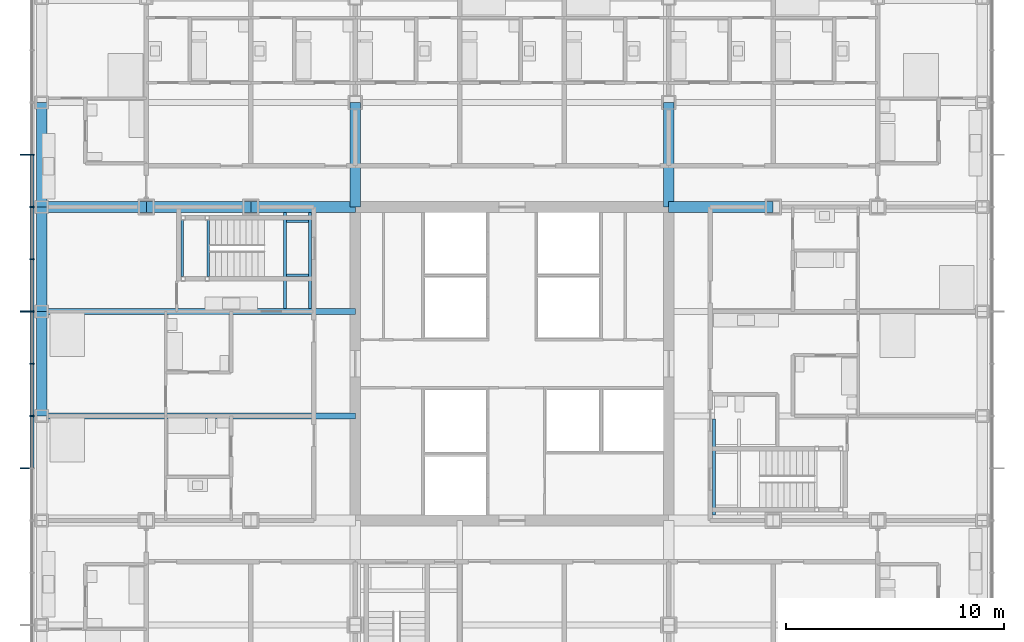
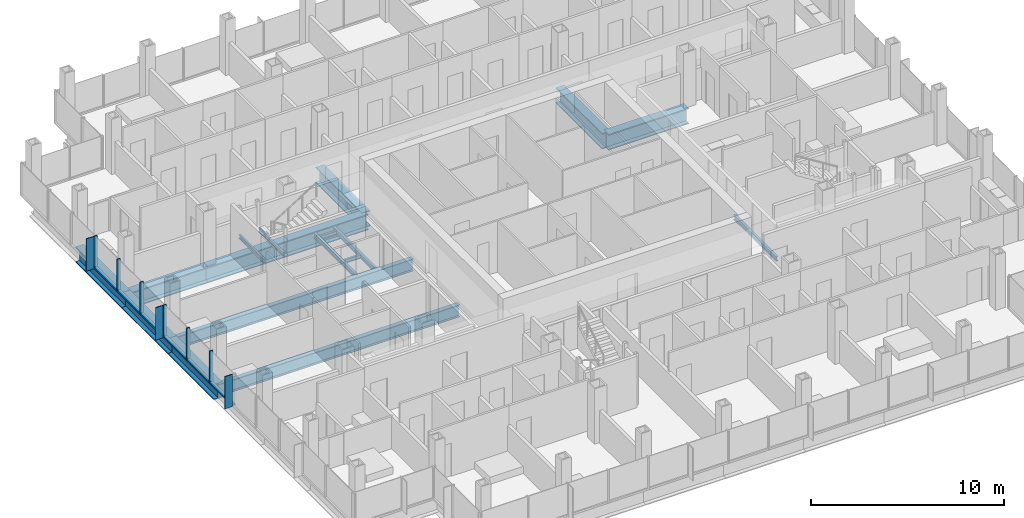
# One storey, part 8 of 22: 18 beams, 15 members, 1 element without a shape of its own.
"""IFC4 building model written with IfcOpenShell, lengths in metres."""

from ifc_helpers import new_model, si_unit, direction, frame, origin, origin_2d, place, context, subcontext, project, spatial, rectangle, i_section, extrude, material, material_profile, profile_set, type_object, element, aggregate, save


model = new_model("IFC4")

# Units and contexts
model_context = context("Model", 3, precision=1e-05, world=origin(), true_north=direction((0.0, 1.0)))
body_context = subcontext(model_context, "Body", "Model", "MODEL_VIEW")
ifc_project = project(units=[si_unit("LENGTHUNIT", "METRE"), si_unit("AREAUNIT", "SQUARE_METRE"), si_unit("VOLUMEUNIT", "CUBIC_METRE"), si_unit("PLANEANGLEUNIT", "RADIAN"), si_unit("MASSUNIT", "GRAM", prefix="KILO")], contexts=[model_context])

# Site, building, storey
site_placement = place(None, origin())
site = spatial("IfcSite", under=ifc_project, at=site_placement, CompositionType="ELEMENT")
building_placement = place(site_placement, origin())
building = spatial("IfcBuilding", under=site, at=building_placement, Name="Kvirike Care Tower", CompositionType="ELEMENT")
storey_placement = place(building_placement, frame((0.0, 0.0, 76.0)))
storey = spatial("IfcBuildingStorey", under=building, at=storey_placement, Name="L20", CompositionType="ELEMENT", Elevation=76.0)

# Curtain wall, members
ifc_material_1 = material(Name="Anodised aluminium stick system", Category="aluminium")
curtain_wall_type = type_object("IfcCurtainWallType", Name="CW-A STICK CURTAIN WALL", PredefinedType="NOTDEFINED", material=ifc_material_1)
curtain_wall_placement = place(storey_placement, origin())
curtain_wall = element("IfcCurtainWall", 1, at=curtain_wall_placement, inside=storey, type_object=curtain_wall_type, Name="Curtain wall L20 face 1", PredefinedType="NOTDEFINED")
ifc_material_2 = material(Name="Bronze anodised aluminium fin", Category="aluminium")
ifc_material_profile_1 = material_profile(ifc_material_2, rectangle(XDim=0.050048828125, YDim=0.449951171875, at=origin_2d()), Name="BRONZE FIN 450")
ifc_profile_set_1 = profile_set([ifc_material_profile_1], Name="Bronze anodised aluminium fin")
member_type_1 = type_object("IfcMemberType", Name="BRONZE FIN 450", PredefinedType="USERDEFINED", material=ifc_profile_set_1)
member_1_placement = place(storey_placement, frame((-0.77490234375, 45.60009765625, 0.0), z_axis=(0.0, 0.0, 1.0), x_axis=(0.0, -1.0, 0.0)))
member_1 = element("IfcMember", 2, at=member_1_placement, type_object=member_type_1, Name="Bronze fin L20 face 1.4", ObjectType="FIN", PredefinedType="USERDEFINED", context=body_context, shape_type="SweptSolid", body=[
    extrude(rectangle(XDim=0.050048828125, YDim=0.449951171875, at=origin_2d()), origin(), (0.0, 0.0, 1.0), 2.050048828125),
])
member_2_placement = place(storey_placement, frame((-0.77490234375, 38.39990234375, 0.0), z_axis=(0.0, 0.0, 1.0), x_axis=(0.0, -1.0, 0.0)))
member_2 = element("IfcMember", 3, at=member_2_placement, type_object=member_type_1, Name="Bronze fin L20 face 1.7", ObjectType="FIN", PredefinedType="USERDEFINED", context=body_context, shape_type="SweptSolid", body=[
    extrude(rectangle(XDim=0.050048828125, YDim=0.449951171875, at=origin_2d()), origin(), (0.0, 0.0, 1.0), 2.050048828125),
])
member_3_placement = place(storey_placement, frame((-0.77490234375, 31.199951171875, 0.0), z_axis=(0.0, 0.0, 1.0), x_axis=(0.0, -1.0, 0.0)))
member_3 = element("IfcMember", 4, at=member_3_placement, type_object=member_type_1, Name="Bronze fin L20 face 1.10", ObjectType="FIN", PredefinedType="USERDEFINED", context=body_context, shape_type="SweptSolid", body=[
    extrude(rectangle(XDim=0.050048828125, YDim=0.449951171875, at=origin_2d()), origin(), (0.0, 0.0, 1.0), 2.050048828125),
])
ifc_material_3 = material(Name="Bronze anodised aluminium mullion", Category="aluminium")
ifc_material_profile_2 = material_profile(ifc_material_3, rectangle(XDim=0.06494140625, YDim=0.199951171875, at=origin_2d()), Name="CW-A MULLION 65x200")
ifc_profile_set_2 = profile_set([ifc_material_profile_2], Name="Bronze anodised aluminium mullion")
member_type_2 = type_object("IfcMemberType", Name="CW-A MULLION 65x200", PredefinedType="MULLION", material=ifc_profile_set_2)
member_4_placement = place(storey_placement, frame((-0.449951171875, 45.60009765625, 0.0), z_axis=(0.0, 0.0, 1.0), x_axis=(0.0, -1.0, 0.0)))
member_4 = element("IfcMember", 5, at=member_4_placement, type_object=member_type_2, Name="CW-A mullion L20 face 1.4", PredefinedType="MULLION", context=body_context, shape_type="SweptSolid", body=[
    extrude(rectangle(XDim=0.06494140625, YDim=0.199951171875, at=origin_2d()), origin(), (0.0, 0.0, 1.0), 2.050048828125),
])
member_5_placement = place(storey_placement, frame((-0.449951171875, 43.199951171875, 0.0), z_axis=(0.0, 0.0, 1.0), x_axis=(0.0, -1.0, 0.0)))
member_5 = element("IfcMember", 6, at=member_5_placement, type_object=member_type_2, Name="CW-A mullion L20 face 1.5", PredefinedType="MULLION", context=body_context, shape_type="SweptSolid", body=[
    extrude(rectangle(XDim=0.06494140625, YDim=0.199951171875, at=origin_2d()), origin(), (0.0, 0.0, 1.0), 2.050048828125),
])
member_6_placement = place(storey_placement, frame((-0.449951171875, 40.800048828125, 0.0), z_axis=(0.0, 0.0, 1.0), x_axis=(0.0, -1.0, 0.0)))
member_6 = element("IfcMember", 7, at=member_6_placement, type_object=member_type_2, Name="CW-A mullion L20 face 1.6", PredefinedType="MULLION", context=body_context, shape_type="SweptSolid", body=[
    extrude(rectangle(XDim=0.06494140625, YDim=0.199951171875, at=origin_2d()), origin(), (0.0, 0.0, 1.0), 2.050048828125),
])
member_7_placement = place(storey_placement, frame((-0.449951171875, 38.39990234375, 0.0), z_axis=(0.0, 0.0, 1.0), x_axis=(0.0, -1.0, 0.0)))
member_7 = element("IfcMember", 8, at=member_7_placement, type_object=member_type_2, Name="CW-A mullion L20 face 1.7", PredefinedType="MULLION", context=body_context, shape_type="SweptSolid", body=[
    extrude(rectangle(XDim=0.06494140625, YDim=0.199951171875, at=origin_2d()), origin(), (0.0, 0.0, 1.0), 2.050048828125),
])
member_8_placement = place(storey_placement, frame((-0.449951171875, 36.0, 0.0), z_axis=(0.0, 0.0, 1.0), x_axis=(0.0, -1.0, 0.0)))
member_8 = element("IfcMember", 9, at=member_8_placement, type_object=member_type_2, Name="CW-A mullion L20 face 1.8", PredefinedType="MULLION", context=body_context, shape_type="SweptSolid", body=[
    extrude(rectangle(XDim=0.06494140625, YDim=0.199951171875, at=origin_2d()), origin(), (0.0, 0.0, 1.0), 2.050048828125),
])
member_9_placement = place(storey_placement, frame((-0.449951171875, 33.60009765625, 0.0), z_axis=(0.0, 0.0, 1.0), x_axis=(0.0, -1.0, 0.0)))
member_9 = element("IfcMember", 10, at=member_9_placement, type_object=member_type_2, Name="CW-A mullion L20 face 1.9", PredefinedType="MULLION", context=body_context, shape_type="SweptSolid", body=[
    extrude(rectangle(XDim=0.06494140625, YDim=0.199951171875, at=origin_2d()), origin(), (0.0, 0.0, 1.0), 2.050048828125),
])
ifc_material_4 = material(Name="Bronze anodised aluminium transom", Category="aluminium")
ifc_material_profile_3 = material_profile(ifc_material_4, rectangle(XDim=0.199951171875, YDim=0.10009765625, at=origin_2d()), Name="CW-A TRANSOM 200x100")
ifc_profile_set_3 = profile_set([ifc_material_profile_3], Name="Bronze anodised aluminium transom")
member_type_3 = type_object("IfcMemberType", Name="CW-A TRANSOM 200x100", PredefinedType="USERDEFINED", material=ifc_profile_set_3)
member_10_placement = place(storey_placement, frame((-0.449951171875, 45.5673828125, 0.050048828125), z_axis=(0.0, -1.0, 0.0), x_axis=(1.0, 0.0, 0.0)))
member_10 = element("IfcMember", 11, at=member_10_placement, type_object=member_type_3, Name="CW-A sill transom L20 face 1.4", ObjectType="TRANSOM", PredefinedType="USERDEFINED", context=body_context, shape_type="SweptSolid", body=[
    extrude(rectangle(XDim=0.199951171875, YDim=0.10009765625, at=origin_2d()), origin(), (0.0, 0.0, 1.0), 2.3349609375),
])
member_11_placement = place(storey_placement, frame((-0.449951171875, 43.16748046875, 0.050048828125), z_axis=(0.0, -1.0, 0.0), x_axis=(1.0, 0.0, 0.0)))
member_11 = element("IfcMember", 12, at=member_11_placement, type_object=member_type_3, Name="CW-A sill transom L20 face 1.5", ObjectType="TRANSOM", PredefinedType="USERDEFINED", context=body_context, shape_type="SweptSolid", body=[
    extrude(rectangle(XDim=0.199951171875, YDim=0.10009765625, at=origin_2d()), origin(), (0.0, 0.0, 1.0), 2.3349609375),
])
member_12_placement = place(storey_placement, frame((-0.449951171875, 40.767578125, 0.050048828125), z_axis=(0.0, -1.0, 0.0), x_axis=(1.0, 0.0, 0.0)))
member_12 = element("IfcMember", 13, at=member_12_placement, type_object=member_type_3, Name="CW-A sill transom L20 face 1.6", ObjectType="TRANSOM", PredefinedType="USERDEFINED", context=body_context, shape_type="SweptSolid", body=[
    extrude(rectangle(XDim=0.199951171875, YDim=0.10009765625, at=origin_2d()), origin(), (0.0, 0.0, 1.0), 2.3349609375),
])
member_13_placement = place(storey_placement, frame((-0.449951171875, 38.367431640625, 0.050048828125), z_axis=(0.0, -1.0, 0.0), x_axis=(1.0, 0.0, 0.0)))
member_13 = element("IfcMember", 14, at=member_13_placement, type_object=member_type_3, Name="CW-A sill transom L20 face 1.7", ObjectType="TRANSOM", PredefinedType="USERDEFINED", context=body_context, shape_type="SweptSolid", body=[
    extrude(rectangle(XDim=0.199951171875, YDim=0.10009765625, at=origin_2d()), origin(), (0.0, 0.0, 1.0), 2.3349609375),
])
member_14_placement = place(storey_placement, frame((-0.449951171875, 35.967529296875, 0.050048828125), z_axis=(0.0, -1.0, 0.0), x_axis=(1.0, 0.0, 0.0)))
member_14 = element("IfcMember", 15, at=member_14_placement, type_object=member_type_3, Name="CW-A sill transom L20 face 1.8", ObjectType="TRANSOM", PredefinedType="USERDEFINED", context=body_context, shape_type="SweptSolid", body=[
    extrude(rectangle(XDim=0.199951171875, YDim=0.10009765625, at=origin_2d()), origin(), (0.0, 0.0, 1.0), 2.3349609375),
])
member_15_placement = place(storey_placement, frame((-0.449951171875, 33.5673828125, 0.050048828125), z_axis=(0.0, -1.0, 0.0), x_axis=(1.0, 0.0, 0.0)))
member_15 = element("IfcMember", 16, at=member_15_placement, type_object=member_type_3, Name="CW-A sill transom L20 face 1.9", ObjectType="TRANSOM", PredefinedType="USERDEFINED", context=body_context, shape_type="SweptSolid", body=[
    extrude(rectangle(XDim=0.199951171875, YDim=0.10009765625, at=origin_2d()), origin(), (0.0, 0.0, 1.0), 2.3349609375),
])
aggregate(curtain_wall, [member_4, member_1, member_5, member_6, member_7, member_2, member_8, member_9, member_3, member_10, member_11, member_12, member_13, member_14, member_15])

# Beams
ifc_material_5 = material(Name="Steel S355", Category="steel")
ifc_material_profile_4 = material_profile(ifc_material_5, i_section(OverallWidth=0.26806640625, OverallDepth=0.77001953125, WebThickness=0.015625, FlangeThickness=0.025390625, FilletRadius=0.01708984375, at=origin_2d()), Name="IPE 750x196")
ifc_profile_set_4 = profile_set([ifc_material_profile_4], Name="Steel S355")
beam_type_1 = type_object("IfcBeamType", Name="FLOOR BEAM IPE 750x196", PredefinedType="BEAM", material=ifc_profile_set_4)
for number, where, z_axis, x_axis, name in (
    (17, (0.0, 33.60009765625, -0.554931640625), (1.0, 0.0, 0.0), (0.0, 1.0, 0.0), "Floor Beam H3-H6 L20"),
    (18, (0.0, 38.39990234375, -0.554931640625), (1.0, 0.0, 0.0), (0.0, 1.0, 0.0), "Floor Beam J3-J6 L20"),
):
    element("IfcBeam", number, at=place(storey_placement, frame(where, z_axis=z_axis, x_axis=x_axis)), inside=storey, type_object=beam_type_1, Name=name, PredefinedType="BEAM", context=body_context, shape_type="SweptSolid", body=[
        extrude(i_section(OverallWidth=0.26806640625, OverallDepth=0.77001953125, WebThickness=0.015625, FlangeThickness=0.025390625, FilletRadius=0.01708984375, at=origin_2d()), origin(), (0.0, 0.0, 1.0), 14.39990234375),
    ])
ifc_material_6 = material(Name="Steel S355", Category="steel")
ifc_material_profile_5 = material_profile(ifc_material_6, i_section(OverallWidth=0.5, OverallDepth=1.0, WebThickness=0.030029296875, FlangeThickness=0.06005859375, at=origin_2d()), Name="PG 1000x500x30x60")
ifc_profile_set_5 = profile_set([ifc_material_profile_5], Name="Steel S355")
beam_type_2 = type_object("IfcBeamType", Name="FRAME BEAM PG 1000x500x30x60", PredefinedType="BEAM", material=ifc_profile_set_5)
for number, where, z_axis, x_axis, name in (
    (19, (0.0, 43.199951171875, -0.669921875), (1.0, 0.0, 0.0), (0.0, 1.0, 0.0), "Frame Beam K3-K4 L20"),
    (20, (4.800048828125, 43.199951171875, -0.669921875), (1.0, 0.0, 0.0), (0.0, 1.0, 0.0), "Frame Beam K4-K5 L20"),
):
    element("IfcBeam", number, at=place(storey_placement, frame(where, z_axis=z_axis, x_axis=x_axis)), inside=storey, type_object=beam_type_2, Name=name, PredefinedType="BEAM", context=body_context, shape_type="SweptSolid", body=[
        extrude(i_section(OverallWidth=0.5, OverallDepth=1.0, WebThickness=0.030029296875, FlangeThickness=0.06005859375, at=origin_2d()), origin(), (0.0, 0.0, 1.0), 4.800048828125),
    ])
beam_1_placement = place(storey_placement, frame((9.60009765625, 43.199951171875, -0.669921875), z_axis=(1.0, 0.0, 0.0), x_axis=(0.0, 1.0, 0.0)))
element("IfcBeam", 21, at=beam_1_placement, inside=storey, type_object=beam_type_2, Name="Frame Beam K5-K6 L20", PredefinedType="BEAM", context=body_context, shape_type="SweptSolid", body=[
    extrude(i_section(OverallWidth=0.5, OverallDepth=1.0, WebThickness=0.030029296875, FlangeThickness=0.06005859375, at=origin_2d()), origin(), (0.0, 0.0, 1.0), 4.7998046875),
])
for number, where, z_axis, x_axis, name in (
    (22, (28.800048828125, 43.199951171875, -0.669921875), (1.0, 0.0, 0.0), (0.0, 1.0, 0.0), "Frame Beam K9-K10 L20"),
    (23, (14.39990234375, 43.199951171875, -0.669921875), (0.0, 1.0, 0.0), (-1.0, 0.0, 0.0), "Frame Beam K6-L6 L20"),
    (24, (28.800048828125, 43.199951171875, -0.669921875), (0.0, 1.0, 0.0), (-1.0, 0.0, 0.0), "Frame Beam K9-L9 L20"),
):
    element("IfcBeam", number, at=place(storey_placement, frame(where, z_axis=z_axis, x_axis=x_axis)), inside=storey, type_object=beam_type_2, Name=name, PredefinedType="BEAM", context=body_context, shape_type="SweptSolid", body=[
        extrude(i_section(OverallWidth=0.5, OverallDepth=1.0, WebThickness=0.030029296875, FlangeThickness=0.06005859375, at=origin_2d()), origin(), (0.0, 0.0, 1.0), 4.800048828125),
    ])
ifc_material_7 = material(Name="Steel S355", Category="steel")
ifc_material_profile_6 = material_profile(ifc_material_7, i_section(OverallWidth=0.5, OverallDepth=1.0, WebThickness=0.030029296875, FlangeThickness=0.06005859375, at=origin_2d()), Name="PG 1000x500x30x60")
ifc_profile_set_6 = profile_set([ifc_material_profile_6], Name="Steel S355")
beam_type_3 = type_object("IfcBeamType", Name="SPANDREL PG 1000x500x30x60", PredefinedType="SPANDREL", material=ifc_profile_set_6)
beam_2_placement = place(storey_placement, frame((0.0, 33.60009765625, -0.669921875), z_axis=(0.0, 1.0, 0.0), x_axis=(-1.0, 0.0, 0.0)))
element("IfcBeam", 25, at=beam_2_placement, inside=storey, type_object=beam_type_3, Name="Spandrel H3-J3 L20", PredefinedType="SPANDREL", context=body_context, shape_type="SweptSolid", body=[
    extrude(i_section(OverallWidth=0.5, OverallDepth=1.0, WebThickness=0.030029296875, FlangeThickness=0.06005859375, at=origin_2d()), origin(), (0.0, 0.0, 1.0), 4.7998046875),
])
for number, where, z_axis, x_axis, name in (
    (26, (0.0, 38.39990234375, -0.669921875), (0.0, 1.0, 0.0), (-1.0, 0.0, 0.0), "Spandrel J3-K3 L20"),
    (27, (0.0, 43.199951171875, -0.669921875), (0.0, 1.0, 0.0), (-1.0, 0.0, 0.0), "Spandrel K3-L3 L20"),
):
    element("IfcBeam", number, at=place(storey_placement, frame(where, z_axis=z_axis, x_axis=x_axis)), inside=storey, type_object=beam_type_3, Name=name, PredefinedType="SPANDREL", context=body_context, shape_type="SweptSolid", body=[
        extrude(i_section(OverallWidth=0.5, OverallDepth=1.0, WebThickness=0.030029296875, FlangeThickness=0.06005859375, at=origin_2d()), origin(), (0.0, 0.0, 1.0), 4.800048828125),
    ])
ifc_material_8 = material(Name="Steel S355", Category="steel")
ifc_material_profile_7 = material_profile(ifc_material_8, i_section(OverallWidth=0.1201171875, OverallDepth=0.239990234375, WebThickness=0.006103515625, FlangeThickness=0.009765625, FilletRadius=0.014892578125, at=origin_2d()), Name="IPE 240")
ifc_profile_set_7 = profile_set([ifc_material_profile_7], Name="Steel S355")
beam_type_4 = type_object("IfcBeamType", Name="STAIR LANDING BEAM IPE 240", PredefinedType="BEAM", material=ifc_profile_set_7)
for number, where, z_axis, x_axis, name in (
    (28, (6.4599609375, 42.60009765625, 1.429931640625), (0.0, -1.0, 0.0), (1.0, 0.0, 0.0), "Stair 1 landing beam back L20"),
    (29, (7.639892578125, 42.60009765625, 1.429931640625), (0.0, -1.0, 0.0), (1.0, 0.0, 0.0), "Stair 1 landing beam front L20"),
):
    element("IfcBeam", number, at=place(storey_placement, frame(where, z_axis=z_axis, x_axis=x_axis)), inside=storey, type_object=beam_type_4, Name=name, PredefinedType="BEAM", context=body_context, shape_type="SweptSolid", body=[
        extrude(i_section(OverallWidth=0.1201171875, OverallDepth=0.239990234375, WebThickness=0.006103515625, FlangeThickness=0.009765625, FilletRadius=0.014892578125, at=origin_2d()), origin(), (0.0, 0.0, 1.0), 2.60009765625),
    ])
for number, where, z_axis, x_axis, name in (
    (30, (11.25, 42.5400390625, -0.320068359375), (1.0, 0.0, 0.0), (0.0, 1.0, 0.0), "Stair 1 landing edge beam 1 L20"),
    (31, (11.25, 40.06005859375, -0.320068359375), (1.0, 0.0, 0.0), (0.0, 1.0, 0.0), "Stair 1 landing edge beam 2 L20"),
):
    element("IfcBeam", number, at=place(storey_placement, frame(where, z_axis=z_axis, x_axis=x_axis)), inside=storey, type_object=beam_type_4, Name=name, PredefinedType="BEAM", context=body_context, shape_type="SweptSolid", body=[
        extrude(i_section(OverallWidth=0.1201171875, OverallDepth=0.239990234375, WebThickness=0.006103515625, FlangeThickness=0.009765625, FilletRadius=0.014892578125, at=origin_2d()), origin(), (0.0, 0.0, 1.0), 1.0),
    ])
ifc_material_9 = material(Name="Steel S355", Category="steel")
ifc_material_profile_8 = material_profile(ifc_material_9, i_section(OverallWidth=0.14990234375, OverallDepth=0.300048828125, WebThickness=0.007080078125, FlangeThickness=0.0107421875, FilletRadius=0.014892578125, at=origin_2d()), Name="IPE 300")
ifc_profile_set_8 = profile_set([ifc_material_profile_8], Name="Steel S355")
beam_type_5 = type_object("IfcBeamType", Name="STAIR TRIMMER IPE 300", PredefinedType="BEAM", material=ifc_profile_set_8)
for number, where, z_axis, x_axis, name in (
    (32, (11.175048828125, 42.949951171875, -0.35009765625), (0.0, -1.0, 0.0), (1.0, 0.0, 0.0), "Stair 1 trimmer 1 L20"),
    (33, (12.324951171875, 42.949951171875, -0.35009765625), (0.0, -1.0, 0.0), (1.0, 0.0, 0.0), "Stair 1 trimmer 2 L20"),
    (34, (30.875, 29.050048828125, -0.35009765625), (0.0, 1.0, 0.0), (-1.0, 0.0, 0.0), "Stair 2 trimmer 2 L20"),
):
    element("IfcBeam", number, at=place(storey_placement, frame(where, z_axis=z_axis, x_axis=x_axis)), inside=storey, type_object=beam_type_5, Name=name, PredefinedType="BEAM", context=body_context, shape_type="SweptSolid", body=[
        extrude(i_section(OverallWidth=0.14990234375, OverallDepth=0.300048828125, WebThickness=0.007080078125, FlangeThickness=0.0107421875, FilletRadius=0.014892578125, at=origin_2d()), origin(), (0.0, 0.0, 1.0), 4.416015625),
    ])

save(model, "model.ifc")
